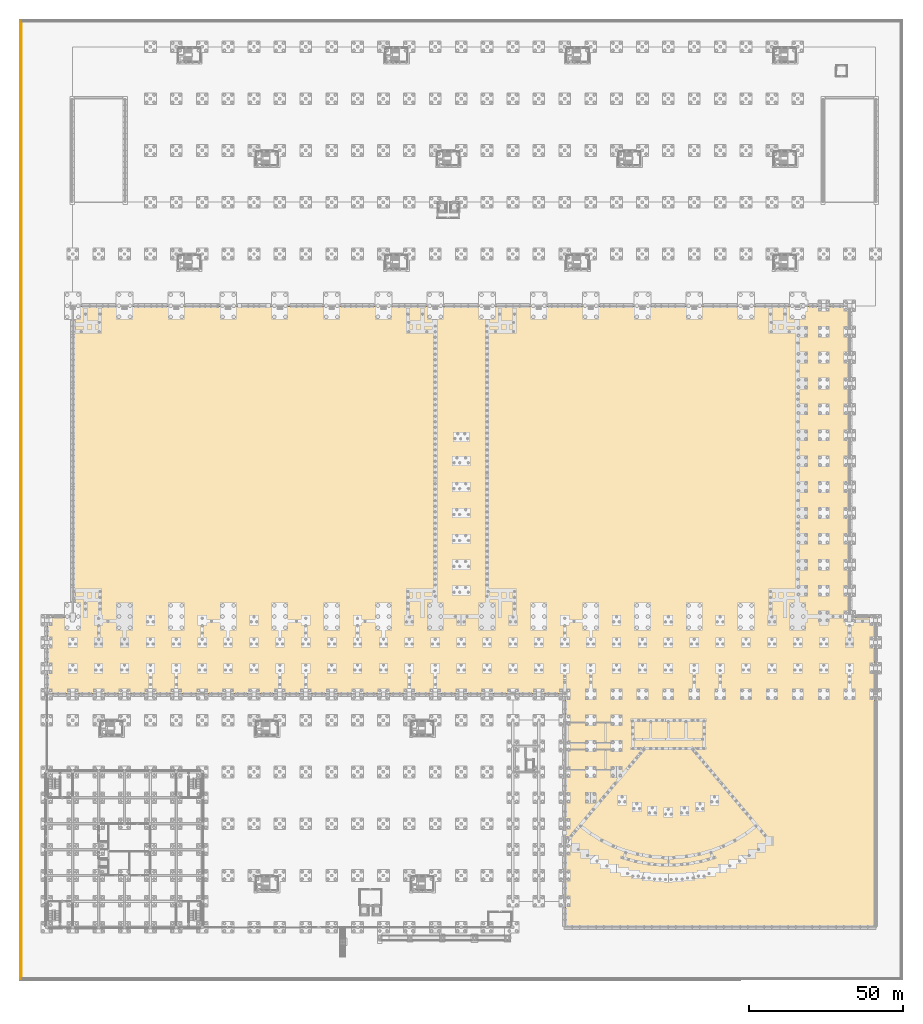
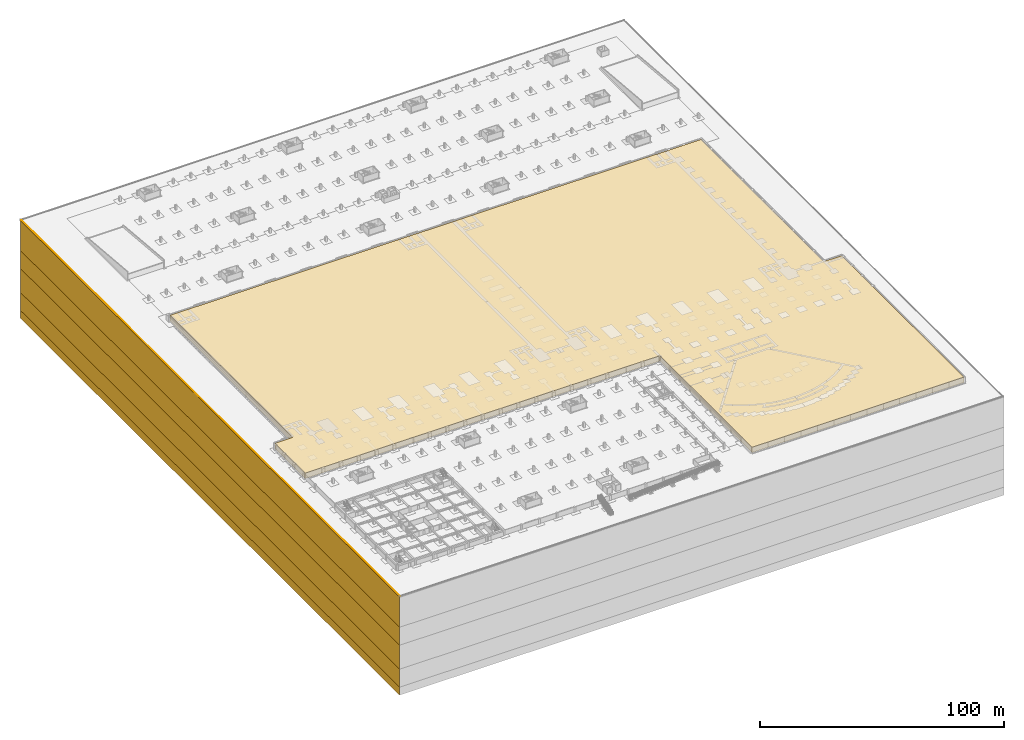
# One storey, part 59 of 67: 7 coverings.
"""IFC4 building model written with IfcOpenShell, lengths in metres."""

from ifc_helpers import new_model, si_unit, direction, frame, origin, origin_2d, place, context, subcontext, project, spatial, polyline, rectangle, outline, extrude, material, layer, layer_set, type_object, element, save


model = new_model("IFC4")

# Units and contexts
model_context = context("Model", 3, precision=1e-05, world=origin(), true_north=direction((0.0, 1.0)))
body_context = subcontext(model_context, "Body", "Model", "MODEL_VIEW")
ifc_project = project(units=[si_unit("LENGTHUNIT", "METRE"), si_unit("AREAUNIT", "SQUARE_METRE"), si_unit("VOLUMEUNIT", "CUBIC_METRE"), si_unit("PLANEANGLEUNIT", "RADIAN"), si_unit("MASSUNIT", "GRAM", prefix="KILO")], contexts=[model_context])

# Site, building, storey
site_placement = place(None, origin())
site = spatial("IfcSite", under=ifc_project, at=site_placement, CompositionType="ELEMENT")
building_placement = place(site_placement, origin())
building = spatial("IfcBuilding", under=site, at=building_placement, Name="Rain Tree Exposition and Congress Centre", CompositionType="ELEMENT")
storey_placement = place(building_placement, frame((0.0, 0.0, -3.0)))
storey = spatial("IfcBuildingStorey", under=building, at=storey_placement, Name="B1", CompositionType="ELEMENT", Elevation=-3.0)

# Coverings
ifc_material_1 = material(Name="Granite", Category="masonry")
covering_type_1 = type_object("IfcCoveringType", Name="Granite kerb 200x150", PredefinedType="MOLDING", material=ifc_material_1)
covering_1_placement = place(storey_placement, frame((-8.300048828125, 138.60009765625, 0.0), z_axis=(0.0, 0.0, 1.0), x_axis=(1.0, 0.0, 0.0)))
element("IfcCovering", 1, at=covering_1_placement, inside=storey, type_object=covering_type_1, Name="Boulevard kerb west", PredefinedType="MOLDING", context=body_context, shape_type="SweptSolid", body=[
    extrude(rectangle(XDim=0.199951171875, YDim=310.39990234375, at=origin_2d()), origin(), (0.0, 0.0, 1.0), 0.14990234375),
])
ifc_material_2 = material(Name="Lightweight foamed aggregate fill", Category="soil")
ifc_layer_1 = layer(ifc_material_2, 2.64990234375)
ifc_layer_set_1 = layer_set([ifc_layer_1], Name="Lightweight foamed aggregate fill")
covering_type_2 = type_object("IfcCoveringType", Name="Lightweight fill platform 2650", PredefinedType="FLOORING", material=ifc_layer_set_1)
covering_2_placement = place(storey_placement, origin())
element("IfcCovering", 2, at=covering_2_placement, inside=storey, type_object=covering_type_2, Name="Lightweight fill platform 1", PredefinedType="FLOORING", context=body_context, shape_type="SweptSolid", body=[
    extrude(outline(polyline([(168.25, 0.25), (268.550048828125, 0.25), (268.550048828125, 100.550048828125), (260.14990234375, 100.550048828125), (260.14990234375, 201.35009765625), (8.64990234375, 201.35009765625), (8.64990234375, 100.550048828125), (0.25, 100.550048828125), (0.25, 75.85009765625), (168.25, 75.85009765625), (168.25, 0.25)])), origin(), (0.0, 0.0, 1.0), 2.64990234375),
])
ifc_material_3 = material(Name="Soil-cement slurry", Category="soil")
ifc_layer_2 = layer(ifc_material_3, 0.300048828125)
ifc_layer_set_2 = layer_set([ifc_layer_2], Name="Soil-cement slurry")
covering_type_3 = type_object("IfcCoveringType", Name="Perimeter cut-off screen 300", PredefinedType="MEMBRANE", material=ifc_layer_set_2)
covering_3_placement = place(storey_placement, frame((-8.550048828125, 138.60009765625, -15.0), z_axis=(0.0, 0.0, 1.0), x_axis=(1.0, 0.0, 0.0)))
element("IfcCovering", 3, at=covering_3_placement, inside=storey, type_object=covering_type_3, Name="Perimeter cut-off screen west, soft clay", PredefinedType="MEMBRANE", context=body_context, shape_type="SweptSolid", body=[
    extrude(rectangle(XDim=0.300048828125, YDim=310.800048828125, at=origin_2d()), origin(), (0.0, 0.0, 1.0), 15.0),
])
covering_4_placement = place(storey_placement, frame((-8.550048828125, 138.60009765625, -24.0), z_axis=(0.0, 0.0, 1.0), x_axis=(1.0, 0.0, 0.0)))
element("IfcCovering", 4, at=covering_4_placement, inside=storey, type_object=covering_type_3, Name="Perimeter cut-off screen west, stiff clay", PredefinedType="MEMBRANE", context=body_context, shape_type="SweptSolid", body=[
    extrude(rectangle(XDim=0.300048828125, YDim=310.800048828125, at=origin_2d()), origin(), (0.0, 0.0, 1.0), 9.0),
])
covering_5_placement = place(storey_placement, frame((-8.550048828125, 138.60009765625, -36.0), z_axis=(0.0, 0.0, 1.0), x_axis=(1.0, 0.0, 0.0)))
element("IfcCovering", 5, at=covering_5_placement, inside=storey, type_object=covering_type_3, Name="Perimeter cut-off screen west, first dense sand", PredefinedType="MEMBRANE", context=body_context, shape_type="SweptSolid", body=[
    extrude(rectangle(XDim=0.300048828125, YDim=310.800048828125, at=origin_2d()), origin(), (0.0, 0.0, 1.0), 12.0),
])
covering_6_placement = place(storey_placement, frame((-8.550048828125, 138.60009765625, -45.0), z_axis=(0.0, 0.0, 1.0), x_axis=(1.0, 0.0, 0.0)))
element("IfcCovering", 6, at=covering_6_placement, inside=storey, type_object=covering_type_3, Name="Perimeter cut-off screen west, hard clay", PredefinedType="MEMBRANE", context=body_context, shape_type="SweptSolid", body=[
    extrude(rectangle(XDim=0.300048828125, YDim=310.800048828125, at=origin_2d()), origin(), (0.0, 0.0, 1.0), 9.0),
])
covering_7_placement = place(storey_placement, frame((-8.550048828125, 138.60009765625, -49.0), z_axis=(0.0, 0.0, 1.0), x_axis=(1.0, 0.0, 0.0)))
element("IfcCovering", 7, at=covering_7_placement, inside=storey, type_object=covering_type_3, Name="Perimeter cut-off screen west, second dense sand", PredefinedType="MEMBRANE", context=body_context, shape_type="SweptSolid", body=[
    extrude(rectangle(XDim=0.300048828125, YDim=310.800048828125, at=origin_2d()), origin(), (0.0, 0.0, 1.0), 4.0),
])

save(model, "model.ifc")
